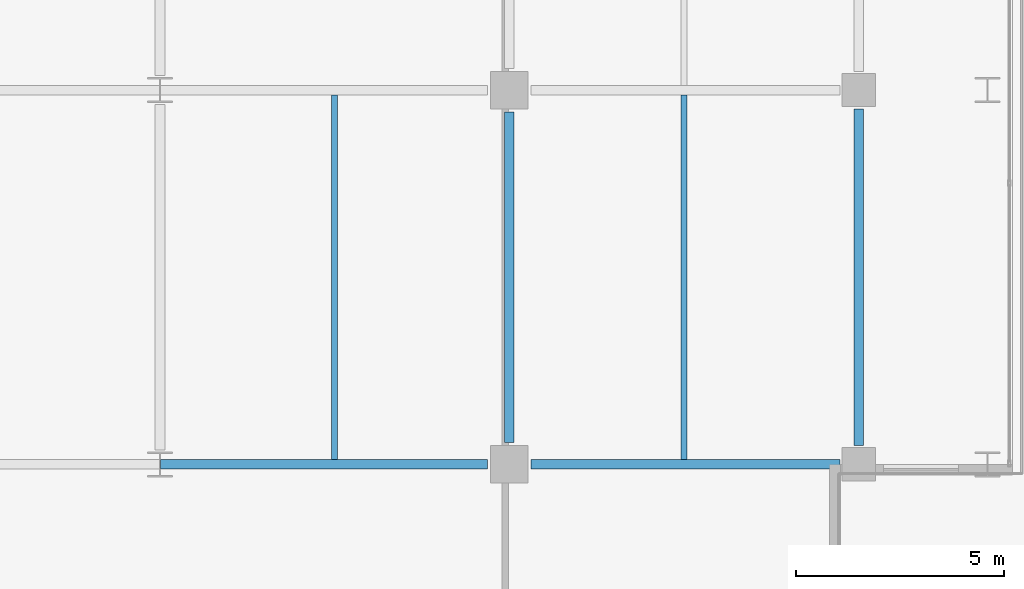
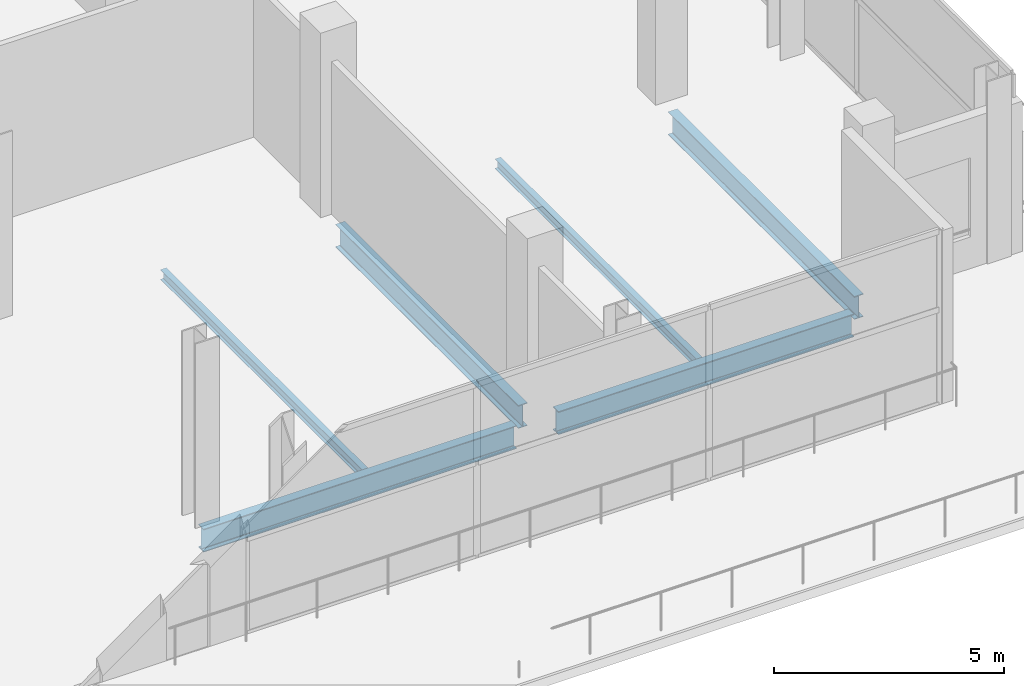
# One storey, part 12 of 31: 6 beams.
"""IFC4 building model written with IfcOpenShell, lengths in metres."""

import ifcopenshell
import ifcopenshell.guid

model = None  # the IFC model being written
_history = None  # IfcOwnerHistory: only IFC2X3 demands one
_inside = {}  # id of a spatial element -> (the spatial element, [elements in it])
_under = {}  # id of a project, library or spatial element -> (it, [spatial elements below it])
_declared = {}  # id of a project -> (the project, [libraries it declares])
_typed = {}  # id of a type object -> (the type object, [elements of that type])
_made_of = {}  # id of a material, layer set ... -> (it, [elements and type objects made of it])


def new_model(schema):
    """Start an empty IFC model of exactly this schema.

    Asked for "IFC4X3", IfcOpenShell would pick the latest addendum, in which some entities
    have other attributes; the version numbers below select the first issue.
    IFC2X3 requires an IfcOwnerHistory on every rooted entity: one is made here for all.
    """
    global model, _history
    if schema == "IFC4X3":
        model = ifcopenshell.file(schema_version=(4, 3, 0, 0))
    else:
        model = ifcopenshell.file(schema=schema)
    _inside.clear()
    _under.clear()
    _declared.clear()
    _typed.clear()
    _made_of.clear()
    _history = None
    if model.schema == "IFC2X3":
        org = make("IfcOrganization", Name="unknown")
        user = make(
            "IfcPersonAndOrganization",
            ThePerson=make("IfcPerson", FamilyName="unknown"),
            TheOrganization=org,
        )
        app = make(
            "IfcApplication",
            ApplicationDeveloper=org,
            Version="unknown",
            ApplicationFullName="unknown",
            ApplicationIdentifier="unknown",
        )
        _history = make(
            "IfcOwnerHistory",
            OwningUser=user,
            OwningApplication=app,
            ChangeAction="ADDED",
            CreationDate=0,
        )
    return model


def make(cls, **values):
    """One entity of the class cls with the attributes given. An attribute that is None is left unset."""
    return model.create_entity(
        cls, **{name: value for name, value in values.items() if value is not None}
    )


def rooted(cls, **values):
    """An entity with a GlobalId (a new one), such as an element, a storey or a relation."""
    return make(cls, GlobalId=ifcopenshell.guid.new(), OwnerHistory=_history, **values)


def si_unit(unit_type, name, prefix=None):
    """IfcSIUnit, for example si_unit("LENGTHUNIT", "METRE", prefix="MILLI")."""
    return make("IfcSIUnit", UnitType=unit_type, Prefix=prefix, Name=name)


def assignment(units):
    """IfcUnitAssignment: the units of a project."""
    return None if units is None else make("IfcUnitAssignment", Units=units)


def point(xyz):
    """IfcCartesianPoint."""
    return None if xyz is None else make("IfcCartesianPoint", Coordinates=xyz)


def direction(xyz):
    """IfcDirection."""
    return None if xyz is None else make("IfcDirection", DirectionRatios=xyz)


def frame(location, z_axis=None, x_axis=None):
    """IfcAxis2Placement3D, a coordinate frame: its origin and axes. An axis left out is left unset."""
    return make(
        "IfcAxis2Placement3D",
        Location=point(location),
        Axis=direction(z_axis),
        RefDirection=direction(x_axis),
    )


def frame_2d(location, x_axis=None):
    """IfcAxis2Placement2D, a coordinate frame in the plane: its origin and x axis."""
    return make(
        "IfcAxis2Placement2D", Location=point(location), RefDirection=direction(x_axis)
    )


def origin():
    """The frame at (0, 0, 0) with its axes left unset."""
    return frame((0.0, 0.0, 0.0))


def origin_2d():
    """The frame at (0, 0) in the plane with its x axis left unset."""
    return frame_2d((0.0, 0.0))


def place(relative_to, where):
    """IfcLocalPlacement: puts the frame where relative to a parent placement (None: the world)."""
    return make(
        "IfcLocalPlacement", PlacementRelTo=relative_to, RelativePlacement=where
    )


def context(
    kind, dimensions, precision=None, world=None, true_north=None, identifier=None
):
    """IfcGeometricRepresentationContext, for example the 3D "Model" context."""
    return make(
        "IfcGeometricRepresentationContext",
        ContextIdentifier=identifier,
        ContextType=kind,
        CoordinateSpaceDimension=dimensions,
        Precision=precision,
        WorldCoordinateSystem=world,
        TrueNorth=true_north,
    )


def subcontext(parent, identifier, kind, view, scale=None):
    """IfcGeometricRepresentationSubContext, for example "Body" below "Model"."""
    return make(
        "IfcGeometricRepresentationSubContext",
        ContextIdentifier=identifier,
        ContextType=kind,
        ParentContext=parent,
        TargetScale=scale,
        TargetView=view,
    )


def project(units=None, contexts=None):
    """IfcProject with its units and contexts."""
    return rooted(
        "IfcProject",
        Name="project",
        RepresentationContexts=contexts,
        UnitsInContext=assignment(units),
    )


def spatial(cls, under=None, at=None, **own):
    """A site, building, storey or space (cls), placed at a placement, below another one or the project."""
    s = rooted(cls, ObjectPlacement=at, **own)
    if under is not None:
        _under.setdefault(under.id(), (under, []))[1].append(s)
    return s


def profile(cls, at=None, kind="AREA", **sizes):
    """A parametric profile (cls). Its sizes go by their IFC names, for example OverallWidth=200.0."""
    return make(cls, ProfileType=kind, Position=at, **sizes)


def i_section(**sizes):
    """IfcIShapeProfileDef."""
    return profile("IfcIShapeProfileDef", **sizes)


def extrude(swept, where, along, depth):
    """IfcExtrudedAreaSolid: the profile swept, set in the frame where, extruded along a direction by depth."""
    return make(
        "IfcExtrudedAreaSolid",
        SweptArea=swept,
        Position=where,
        ExtrudedDirection=direction(along),
        Depth=depth,
    )


def shape(context_of_items, identifier, shape_type, items):
    """IfcShapeRepresentation: the items that make up one representation, for example the "Body"."""
    return make(
        "IfcShapeRepresentation",
        ContextOfItems=context_of_items,
        RepresentationIdentifier=identifier,
        RepresentationType=shape_type,
        Items=items,
    )


def material(Name=None, Category=None):
    """IfcMaterial."""
    return make("IfcMaterial", Name=Name, Category=Category)


def material_profile(
    of_material, cross_section, Name=None, Category=None, Priority=None
):
    """IfcMaterialProfile: a cross section and its material."""
    return make(
        "IfcMaterialProfile",
        Name=Name,
        Material=of_material,
        Profile=cross_section,
        Priority=Priority,
        Category=Category,
    )


def profile_set(profiles, Name=None, composite=None):
    """IfcMaterialProfileSet."""
    return make(
        "IfcMaterialProfileSet",
        Name=Name,
        MaterialProfiles=profiles,
        CompositeProfile=composite,
    )


def made_of(thing, what):
    """Note that an element or type object is made of a material, layer set ...; save() writes the relation."""
    if what is not None:
        _made_of.setdefault(what.id(), (what, []))[1].append(thing)
    return thing


def type_object(cls, material=None, **own):
    """A type object (cls), such as IfcWallType, which elements share."""
    return made_of(rooted(cls, **own), material)


def element(
    cls,
    number,
    at=None,
    inside=None,
    cuts=None,
    type_object=None,
    material=None,
    context=None,
    identifier="Body",
    shape_type=None,
    held_by="IfcProductDefinitionShape",
    body=None,
    shapes=None,
    **own,
):
    """One element of the class cls, such as IfcWall. Its Tag is "e" and its number.

    at: its placement. inside: the storey or other place that contains it. cuts: it is an
    opening in that element (IfcRelVoidsElement). A single representation is given by context,
    identifier, shape_type and body (its items); several are given by shapes. held_by: the class
    of the entity that holds the representations. save() writes the other relations.
    """
    e = rooted(cls, Tag="e%d" % number, ObjectPlacement=at, **own)
    if body is not None:
        shapes = [shape(context, identifier, shape_type, body)]
    if shapes is not None:
        e.Representation = make(held_by, Representations=shapes)
    if inside is not None:
        _inside.setdefault(inside.id(), (inside, []))[1].append(e)
    if cuts is not None:
        rooted(
            "IfcRelVoidsElement", RelatingBuildingElement=cuts, RelatedOpeningElement=e
        )
    if type_object is not None:
        _typed.setdefault(type_object.id(), (type_object, []))[1].append(e)
    return made_of(e, material)


def aggregate(whole, parts):
    """IfcRelAggregates: a whole, such as a stair, and the parts it consists of."""
    return rooted("IfcRelAggregates", RelatingObject=whole, RelatedObjects=parts)


def save(model, path):
    """Write the relations noted so far, then the file.

    IfcRelAggregates (storeys below a building ...), IfcRelContainedInSpatialStructure (elements
    in a storey), IfcRelDefinesByType, IfcRelAssociatesMaterial and IfcRelDeclares: one each for
    every whole, place, type object, material and project.
    """
    for whole, parts in _under.values():
        aggregate(whole, parts)
    for where, things in _inside.values():
        rooted(
            "IfcRelContainedInSpatialStructure",
            RelatedElements=things,
            RelatingStructure=where,
        )
    for kind, things in _typed.values():
        rooted("IfcRelDefinesByType", RelatedObjects=things, RelatingType=kind)
    for what, things in _made_of.values():
        rooted("IfcRelAssociatesMaterial", RelatedObjects=things, RelatingMaterial=what)
    for by, libraries in _declared.values():
        rooted("IfcRelDeclares", RelatingContext=by, RelatedDefinitions=libraries)
    model.write(path)


model = new_model("IFC4")

# Units and contexts
model_context = context("Model", 3, precision=1e-05, world=origin(), true_north=direction((0.0, 1.0)))
body_context = subcontext(model_context, "Body", "Model", "MODEL_VIEW")
ifc_project = project(units=[si_unit("LENGTHUNIT", "METRE"), si_unit("AREAUNIT", "SQUARE_METRE"), si_unit("VOLUMEUNIT", "CUBIC_METRE"), si_unit("PLANEANGLEUNIT", "RADIAN"), si_unit("MASSUNIT", "GRAM", prefix="KILO")], contexts=[model_context])

# Site, building, storey
site_placement = place(None, origin())
site = spatial("IfcSite", under=ifc_project, at=site_placement, CompositionType="ELEMENT")
building_placement = place(site_placement, origin())
building = spatial("IfcBuilding", under=site, at=building_placement, Name="Maruvema Waterfront Hotel and Observation Tower", CompositionType="ELEMENT")
storey_placement = place(building_placement, frame((0.0, 0.0, 122.5)))
storey = spatial("IfcBuildingStorey", under=building, at=storey_placement, Name="L29", CompositionType="ELEMENT", Elevation=122.5)

# Beams
ifc_material_1 = material(Name="Steel ASTM A572 Grade 50", Category="steel")
ifc_material_profile_1 = material_profile(ifc_material_1, i_section(OverallWidth=0.22900390625, OverallDepth=0.612060546875, WebThickness=0.011962890625, FlangeThickness=0.01953125, FilletRadius=0.01806640625, at=origin_2d()), Name="W610x125.0")
ifc_profile_set_1 = profile_set([ifc_material_profile_1], Name="Steel ASTM A572 Grade 50")
beam_type_1 = type_object("IfcBeamType", Name="Primary Floor Girder W610x125.0", PredefinedType="BEAM", material=ifc_profile_set_1)
beam_1_placement = place(storey_placement, frame((42.013916015625, 9.0, -0.5458984375), z_axis=(1.0, 0.0, 0.0), x_axis=(0.0, 1.0, 0.0)))
element("IfcBeam", 1, at=beam_1_placement, inside=storey, type_object=beam_type_1, Name="L29 Floor Girder EW-04", PredefinedType="BEAM", context=body_context, shape_type="SweptSolid", body=[
    extrude(i_section(OverallWidth=0.22900390625, OverallDepth=0.612060546875, WebThickness=0.011962890625, FlangeThickness=0.01953125, FilletRadius=0.01806640625, at=origin_2d()), origin(), (0.0, 0.0, 1.0), 7.861083984375),
])
beam_2_placement = place(storey_placement, frame((50.925048828125, 9.0, -0.5458984375), z_axis=(1.0, 0.0, 0.0), x_axis=(0.0, 1.0, 0.0)))
element("IfcBeam", 2, at=beam_2_placement, inside=storey, type_object=beam_type_1, Name="L29 Floor Girder EW-05", PredefinedType="BEAM", context=body_context, shape_type="SweptSolid", body=[
    extrude(i_section(OverallWidth=0.22900390625, OverallDepth=0.612060546875, WebThickness=0.011962890625, FlangeThickness=0.01953125, FilletRadius=0.01806640625, at=origin_2d()), origin(), (0.0, 0.0, 1.0), 7.425048828125),
])
beam_3_placement = place(storey_placement, frame((50.39990234375, 9.52490234375, -0.5458984375), z_axis=(0.0, 1.0, 0.0), x_axis=(-1.0, 0.0, 0.0)))
element("IfcBeam", 3, at=beam_3_placement, inside=storey, type_object=beam_type_1, Name="L29 Floor Girder NS-13", PredefinedType="BEAM", context=body_context, shape_type="SweptSolid", body=[
    extrude(i_section(OverallWidth=0.22900390625, OverallDepth=0.612060546875, WebThickness=0.011962890625, FlangeThickness=0.01953125, FilletRadius=0.01806640625, at=origin_2d()), origin(), (0.0, 0.0, 1.0), 7.9501953125),
])
beam_4_placement = place(storey_placement, frame((58.800048828125, 9.449951171875, -0.5458984375), z_axis=(0.0, 1.0, 0.0), x_axis=(-1.0, 0.0, 0.0)))
element("IfcBeam", 4, at=beam_4_placement, inside=storey, type_object=beam_type_1, Name="L29 Floor Girder NS-17", PredefinedType="BEAM", context=body_context, shape_type="SweptSolid", body=[
    extrude(i_section(OverallWidth=0.22900390625, OverallDepth=0.612060546875, WebThickness=0.011962890625, FlangeThickness=0.01953125, FilletRadius=0.01806640625, at=origin_2d()), origin(), (0.0, 0.0, 1.0), 8.10009765625),
])
ifc_material_2 = material(Name="Steel ASTM A572 Grade 50", Category="steel")
ifc_material_profile_2 = material_profile(ifc_material_2, i_section(OverallWidth=0.14599609375, OverallDepth=0.258056640625, WebThickness=0.006103515625, FlangeThickness=0.009033203125, FilletRadius=0.012939453125, at=origin_2d()), Name="W250x32.7")
ifc_profile_set_2 = profile_set([ifc_material_profile_2], Name="Steel ASTM A572 Grade 50")
beam_type_2 = type_object("IfcBeamType", Name="Secondary Floor Joist W250x32.7", PredefinedType="JOIST", material=ifc_profile_set_2)
beam_5_placement = place(storey_placement, frame((54.60009765625, 9.114501953125, -0.368896484375), z_axis=(0.0, 1.0, 0.0), x_axis=(-1.0, 0.0, 0.0)))
element("IfcBeam", 5, at=beam_5_placement, inside=storey, type_object=beam_type_2, Name="L29 Secondary Floor Joist JS-08", PredefinedType="JOIST", context=body_context, shape_type="SweptSolid", body=[
    extrude(i_section(OverallWidth=0.14599609375, OverallDepth=0.258056640625, WebThickness=0.006103515625, FlangeThickness=0.009033203125, FilletRadius=0.012939453125, at=origin_2d()), origin(), (0.0, 0.0, 1.0), 8.77099609375),
])
ifc_material_3 = material(Name="Steel ASTM A572 Grade 50", Category="steel")
ifc_material_profile_3 = material_profile(ifc_material_3, i_section(OverallWidth=0.14794921875, OverallDepth=0.26611328125, WebThickness=0.007568359375, FlangeThickness=0.012939453125, FilletRadius=0.012939453125, at=origin_2d()), Name="W250x44.8")
ifc_profile_set_3 = profile_set([ifc_material_profile_3], Name="Steel ASTM A572 Grade 50")
beam_type_3 = type_object("IfcBeamType", Name="Secondary Floor Joist W250x44.8", PredefinedType="JOIST", material=ifc_profile_set_3)
beam_6_placement = place(storey_placement, frame((46.199951171875, 9.114501953125, -0.373046875), z_axis=(0.0, 1.0, 0.0), x_axis=(-1.0, 0.0, 0.0)))
element("IfcBeam", 6, at=beam_6_placement, inside=storey, type_object=beam_type_3, Name="L29 Secondary Floor Joist JS-07", PredefinedType="JOIST", context=body_context, shape_type="SweptSolid", body=[
    extrude(i_section(OverallWidth=0.14794921875, OverallDepth=0.26611328125, WebThickness=0.007568359375, FlangeThickness=0.012939453125, FilletRadius=0.012939453125, at=origin_2d()), origin(), (0.0, 0.0, 1.0), 8.77099609375),
])

save(model, "model.ifc")
